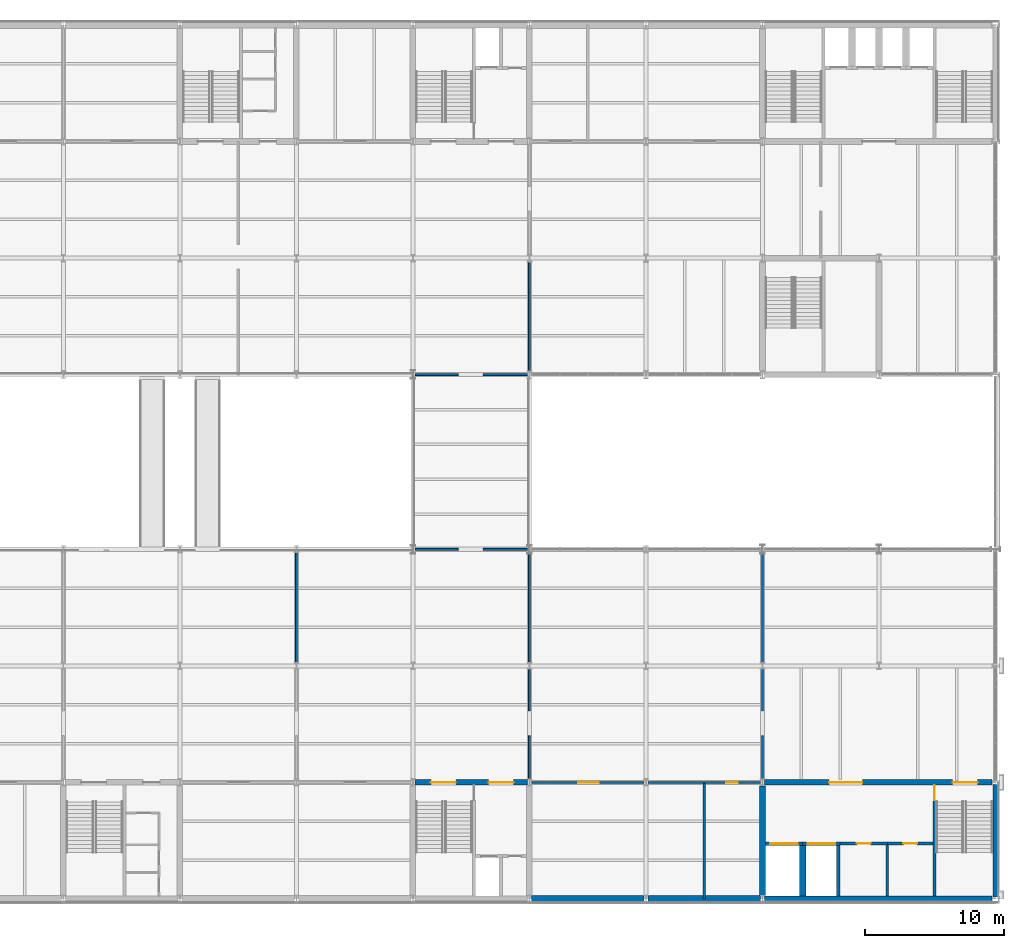
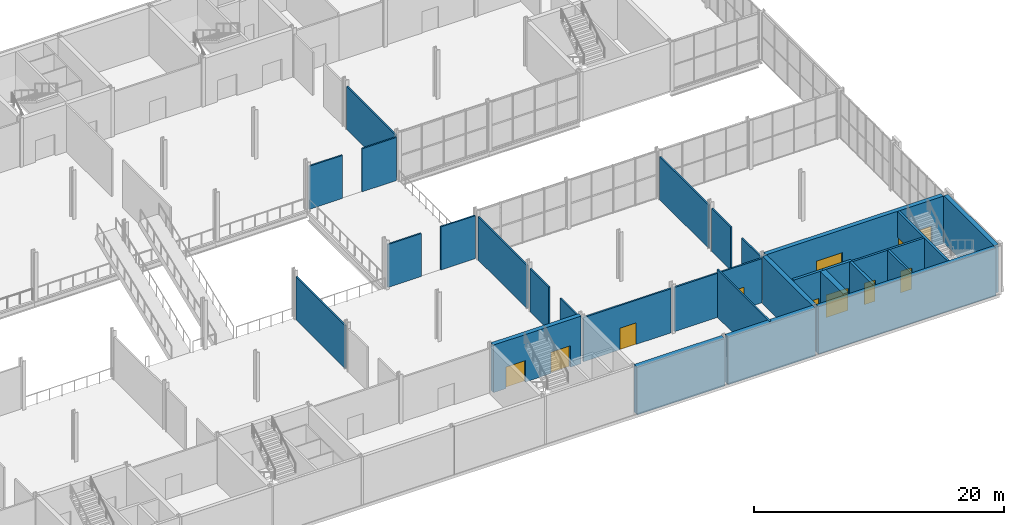
# One storey, part 39 of 61: 31 walls, 11 doors, 11 openings.
"""IFC4 building model written with IfcOpenShell, lengths in metres."""

from ifc_helpers import new_model, si_unit, direction, frame, frame_2d, origin, place, context, subcontext, project, spatial, rectangle, extrude, material, layer, layer_set, type_object, element, fill, save


model = new_model("IFC4")

# Units and contexts
model_context = context("Model", 3, precision=1e-05, world=origin(), true_north=direction((0.0, 1.0)))
body_context = subcontext(model_context, "Body", "Model", "MODEL_VIEW")
ifc_project = project(units=[si_unit("LENGTHUNIT", "METRE"), si_unit("AREAUNIT", "SQUARE_METRE"), si_unit("VOLUMEUNIT", "CUBIC_METRE"), si_unit("PLANEANGLEUNIT", "RADIAN"), si_unit("MASSUNIT", "GRAM", prefix="KILO")], contexts=[model_context])

# Site, building, storey
site_placement = place(None, origin())
site = spatial("IfcSite", under=ifc_project, at=site_placement, CompositionType="ELEMENT")
building_placement = place(site_placement, origin())
building = spatial("IfcBuilding", under=site, at=building_placement, Name="Galleria Vessillo Department Store", CompositionType="ELEMENT")
storey_placement = place(building_placement, frame((0.0, 0.0, 11.39990234375)))
storey = spatial("IfcBuildingStorey", under=building, at=storey_placement, Name="L02", CompositionType="ELEMENT", Elevation=11.39990234375)

# Wall
ifc_material_1 = material(Name="Solid clay block masonry", Category="masonry")
ifc_layer_1 = layer(ifc_material_1, 0.5)
ifc_layer_set_1 = layer_set([ifc_layer_1], Name="Solid clay block masonry")
wall_type_1 = type_object("IfcWallType", Name="Lift shaft partition wall 500 mm", PredefinedType="SOLIDWALL", material=ifc_layer_set_1)
wall_1_placement = place(storey_placement, frame((103.699951171875, 0.199951171875, 0.0), z_axis=(0.0, 0.0, 1.0), x_axis=(0.0, 1.0, 0.0)))
element("IfcWall", 1, at=wall_1_placement, inside=storey, type_object=wall_type_1, Name="Lift shaft partition wall GL1 L02", PredefinedType="SOLIDWALL", context=body_context, shape_type="SweptSolid", body=[
    extrude(rectangle(XDim=3.650146484375, YDim=0.5, at=frame_2d((1.8251953125, 0.0))), origin(), (0.0, 0.0, 1.0), 4.800048828125),
])

# Wall, opening, door
ifc_material_2 = material(Name="Solid clay block masonry", Category="masonry")
ifc_layer_2 = layer(ifc_material_2, 0.25)
ifc_layer_set_2 = layer_set([ifc_layer_2], Name="Solid clay block masonry")
wall_type_2 = type_object("IfcWallType", Name="Lift shaft wall 250 mm", PredefinedType="SOLIDWALL", material=ifc_layer_set_2)
wall_2_placement = place(storey_placement, frame((101.0, 3.97509765625, 0.0), z_axis=(0.0, 0.0, 1.0), x_axis=(1.0, 0.0, 0.0)))
wall_2 = element("IfcWall", 2, at=wall_2_placement, inside=storey, type_object=wall_type_2, Name="Lift shaft wall GL1 landing side L02", PredefinedType="SOLIDWALL", context=body_context, shape_type="SweptSolid", body=[
    extrude(rectangle(XDim=2.699951171875, YDim=0.25, at=frame_2d((1.35009765625, 0.0))), origin(), (0.0, 0.0, 1.0), 4.800048828125),
])
opening_1_placement = place(wall_2_placement, frame((0.35009765625, 0.0, 0.0)))
opening_1 = element("IfcOpeningElement", 3, at=opening_1_placement, cuts=wall_2, Name="Opening LD057", PredefinedType="OPENING", context=body_context, shape_type="SweptSolid", body=[
    extrude(rectangle(XDim=2.0, YDim=2.199951171875, at=frame_2d((1.0, 1.10009765625))), frame((0.0, 0.135009765625, 0.0), z_axis=(0.0, -1.0, 0.0), x_axis=(1.0, 0.0, 0.0)), (0.0, 0.0, 1.0), 0.27001953125),
])
ifc_material_3 = material(Name="Stainless steel lift door panel", Category="steel")
door_type_1 = type_object("IfcDoorType", Name="Lift landing door LD200 sliding 2000 x 2200", OperationType="DOUBLE_DOOR_SLIDING", PredefinedType="DOOR", material=ifc_material_3)
door_1_placement = place(opening_1_placement, origin())
door_1 = element("IfcDoor", 4, at=door_1_placement, inside=storey, type_object=door_type_1, Name="Lift landing door GL1 L02", OperationType="DOUBLE_DOOR_SLIDING", OverallHeight=2.199951171875, OverallWidth=2.0, PredefinedType="DOOR", context=body_context, shape_type="SweptSolid", body=[
    extrude(rectangle(XDim=2.0, YDim=2.199951171875, at=frame_2d((1.0, 1.10009765625))), frame((0.0, 0.02490234375, 0.0), z_axis=(0.0, -1.0, 0.0), x_axis=(1.0, 0.0, 0.0)), (0.0, 0.0, 1.0), 0.050048828125),
])
fill(opening_1, door_1)

wall_3_placement = place(storey_placement, frame((103.699951171875, 3.97509765625, 0.0), z_axis=(0.0, 0.0, 1.0), x_axis=(1.0, 0.0, 0.0)))
wall_3 = element("IfcWall", 5, at=wall_3_placement, inside=storey, type_object=wall_type_2, Name="Lift shaft wall GL2 landing side L02", PredefinedType="SOLIDWALL", context=body_context, shape_type="SweptSolid", body=[
    extrude(rectangle(XDim=2.699951171875, YDim=0.25, at=frame_2d((1.35009765625, 0.0))), origin(), (0.0, 0.0, 1.0), 4.800048828125),
])
opening_2_placement = place(wall_3_placement, frame((0.35009765625, 0.0, 0.0)))
opening_2 = element("IfcOpeningElement", 6, at=opening_2_placement, cuts=wall_3, Name="Opening LD058", PredefinedType="OPENING", context=body_context, shape_type="SweptSolid", body=[
    extrude(rectangle(XDim=2.0, YDim=2.199951171875, at=frame_2d((1.0, 1.10009765625))), frame((0.0, 0.135009765625, 0.0), z_axis=(0.0, -1.0, 0.0), x_axis=(1.0, 0.0, 0.0)), (0.0, 0.0, 1.0), 0.27001953125),
])
door_2_placement = place(opening_2_placement, origin())
door_2 = element("IfcDoor", 7, at=door_2_placement, inside=storey, type_object=door_type_1, Name="Lift landing door GL2 L02", OperationType="DOUBLE_DOOR_SLIDING", OverallHeight=2.199951171875, OverallWidth=2.0, PredefinedType="DOOR", context=body_context, shape_type="SweptSolid", body=[
    extrude(rectangle(XDim=2.0, YDim=2.199951171875, at=frame_2d((1.0, 1.10009765625))), frame((0.0, 0.02490234375, 0.0), z_axis=(0.0, -1.0, 0.0), x_axis=(1.0, 0.0, 0.0)), (0.0, 0.0, 1.0), 0.050048828125),
])
fill(opening_2, door_2)

# Wall
wall_4_placement = place(storey_placement, frame((106.27490234375, 0.199951171875, 0.0), z_axis=(0.0, 0.0, 1.0), x_axis=(0.0, 1.0, 0.0)))
element("IfcWall", 8, at=wall_4_placement, inside=storey, type_object=wall_type_2, Name="Lift shaft wall GL2 L02", PredefinedType="SOLIDWALL", context=body_context, shape_type="SweptSolid", body=[
    extrude(rectangle(XDim=3.650146484375, YDim=0.25, at=frame_2d((1.8251953125, 0.0))), origin(), (0.0, 0.0, 1.0), 4.800048828125),
])

# Wall, openings, doors
ifc_material_4 = material(Name="Concrete C32/40 reinforced", Category="concrete")
ifc_layer_3 = layer(ifc_material_4, 0.39990234375)
ifc_layer_set_3 = layer_set([ifc_layer_3], Name="Concrete C32/40 reinforced")
wall_type_3 = type_object("IfcWallType", Name="Reinforced concrete core wall 400 mm", PredefinedType="SHEAR", material=ifc_layer_set_3)
wall_5_placement = place(storey_placement, frame((75.75, 8.39990234375, 0.0), z_axis=(0.0, 0.0, 1.0), x_axis=(1.0, 0.0, 0.0)))
wall_5 = element("IfcWall", 9, at=wall_5_placement, inside=storey, type_object=wall_type_3, Name="S-CW-PC-SE-INTERIOR-L02", PredefinedType="SHEAR", context=body_context, shape_type="SweptSolid", body=[
    extrude(rectangle(XDim=8.10009765625, YDim=0.39990234375, at=frame_2d((4.050048828125, 0.0))), origin(), (0.0, 0.0, 1.0), 4.650146484375),
])
opening_3_placement = place(wall_5_placement, frame((1.14990234375, 0.0, 0.0)))
opening_3 = element("IfcOpeningElement", 10, at=opening_3_placement, cuts=wall_5, Name="Opening D5144", PredefinedType="OPENING", context=body_context, shape_type="SweptSolid", body=[
    extrude(rectangle(XDim=1.800048828125, YDim=2.10009765625, at=frame_2d((0.89990234375, 1.050048828125))), frame((0.0, 0.2099609375, 0.0), z_axis=(0.0, -1.0, 0.0), x_axis=(1.0, 0.0, 0.0)), (0.0, 0.0, 1.0), 0.419921875),
])
opening_4_placement = place(wall_5_placement, frame((5.2998046875, 0.0, 0.0)))
opening_4 = element("IfcOpeningElement", 11, at=opening_4_placement, cuts=wall_5, Name="Opening D5145", PredefinedType="OPENING", context=body_context, shape_type="SweptSolid", body=[
    extrude(rectangle(XDim=1.800048828125, YDim=2.10009765625, at=frame_2d((0.89990234375, 1.050048828125))), frame((0.0, 0.2099609375, 0.0), z_axis=(0.0, -1.0, 0.0), x_axis=(1.0, 0.0, 0.0)), (0.0, 0.0, 1.0), 0.419921875),
])
ifc_material_5 = material(Name="Fire-rated steel door leaf", Category="steel")
door_type_2 = type_object("IfcDoorType", Name="Door D180F double leaf 1800 x 2100", OperationType="DOUBLE_DOOR_SINGLE_SWING", PredefinedType="DOOR", material=ifc_material_5)
door_3_placement = place(opening_3_placement, frame((1.800048828125, 0.0, 0.0), z_axis=(0.0, 0.0, 1.0), x_axis=(-1.0, 0.0, 0.0)))
door_3 = element("IfcDoor", 12, at=door_3_placement, inside=storey, type_object=door_type_2, Name="Lobby door PC-SE-ST-FLOOR L02", OperationType="DOUBLE_DOOR_SINGLE_SWING", OverallHeight=2.10009765625, OverallWidth=1.800048828125, PredefinedType="DOOR", context=body_context, shape_type="SweptSolid", body=[
    extrude(rectangle(XDim=1.800048828125, YDim=2.10009765625, at=frame_2d((0.89990234375, 1.050048828125))), frame((0.0, 0.02490234375, 0.0), z_axis=(0.0, -1.0, 0.0), x_axis=(1.0, 0.0, 0.0)), (0.0, 0.0, 1.0), 0.050048828125),
])
fill(opening_3, door_3)
door_4_placement = place(opening_4_placement, frame((1.800048828125, 0.0, 0.0), z_axis=(0.0, 0.0, 1.0), x_axis=(-1.0, 0.0, 0.0)))
door_4 = element("IfcDoor", 13, at=door_4_placement, inside=storey, type_object=door_type_2, Name="Lobby door PC-SE-LOBBY-FLOOR L02", OperationType="DOUBLE_DOOR_SINGLE_SWING", OverallHeight=2.10009765625, OverallWidth=1.800048828125, PredefinedType="DOOR", context=body_context, shape_type="SweptSolid", body=[
    extrude(rectangle(XDim=1.800048828125, YDim=2.10009765625, at=frame_2d((0.89990234375, 1.050048828125))), frame((0.0, 0.02490234375, 0.0), z_axis=(0.0, -1.0, 0.0), x_axis=(1.0, 0.0, 0.0)), (0.0, 0.0, 1.0), 0.050048828125),
])
fill(opening_4, door_4)

wall_6_placement = place(storey_placement, frame((100.949951171875, 8.39990234375, 0.0), z_axis=(0.0, 0.0, 1.0), x_axis=(1.0, 0.0, 0.0)))
wall_6 = element("IfcWall", 14, at=wall_6_placement, inside=storey, type_object=wall_type_3, Name="S-CW-GC-INTERIOR-L02", PredefinedType="SHEAR", context=body_context, shape_type="SweptSolid", body=[
    extrude(rectangle(XDim=16.400146484375, YDim=0.39990234375, at=frame_2d((8.2001953125, 0.0))), origin(), (0.0, 0.0, 1.0), 4.650146484375),
])
opening_5_placement = place(wall_6_placement, frame((13.5498046875, 0.0, 0.0)))
opening_5 = element("IfcOpeningElement", 15, at=opening_5_placement, cuts=wall_6, Name="Opening D5242", PredefinedType="OPENING", context=body_context, shape_type="SweptSolid", body=[
    extrude(rectangle(XDim=1.800048828125, YDim=2.10009765625, at=frame_2d((0.89990234375, 1.050048828125))), frame((0.0, 0.2099609375, 0.0), z_axis=(0.0, -1.0, 0.0), x_axis=(1.0, 0.0, 0.0)), (0.0, 0.0, 1.0), 0.419921875),
])
opening_6_placement = place(wall_6_placement, frame((4.64990234375, 0.0, 0.0)))
opening_6 = element("IfcOpeningElement", 16, at=opening_6_placement, cuts=wall_6, Name="Opening D5243", PredefinedType="OPENING", context=body_context, shape_type="SweptSolid", body=[
    extrude(rectangle(XDim=2.39990234375, YDim=2.39990234375, at=frame_2d((1.199951171875, 1.199951171875))), frame((0.0, 0.2099609375, 0.0), z_axis=(0.0, -1.0, 0.0), x_axis=(1.0, 0.0, 0.0)), (0.0, 0.0, 1.0), 0.419921875),
])
door_5_placement = place(opening_5_placement, frame((1.800048828125, 0.0, 0.0), z_axis=(0.0, 0.0, 1.0), x_axis=(-1.0, 0.0, 0.0)))
door_5 = element("IfcDoor", 17, at=door_5_placement, inside=storey, type_object=door_type_2, Name="Lobby door GC-ST7-FLOOR L02", OperationType="DOUBLE_DOOR_SINGLE_SWING", OverallHeight=2.10009765625, OverallWidth=1.800048828125, PredefinedType="DOOR", context=body_context, shape_type="SweptSolid", body=[
    extrude(rectangle(XDim=1.800048828125, YDim=2.10009765625, at=frame_2d((0.89990234375, 1.050048828125))), frame((0.0, 0.02490234375, 0.0), z_axis=(0.0, -1.0, 0.0), x_axis=(1.0, 0.0, 0.0)), (0.0, 0.0, 1.0), 0.050048828125),
])
fill(opening_5, door_5)
ifc_material_6 = material(Name="Fire-rated steel door leaf", Category="steel")
door_type_3 = type_object("IfcDoorType", Name="Door D240F double leaf 2400 x 2400", OperationType="DOUBLE_DOOR_SINGLE_SWING", PredefinedType="DOOR", material=ifc_material_6)
door_6_placement = place(opening_6_placement, frame((2.39990234375, 0.0, 0.0), z_axis=(0.0, 0.0, 1.0), x_axis=(-1.0, 0.0, 0.0)))
door_6 = element("IfcDoor", 18, at=door_6_placement, inside=storey, type_object=door_type_3, Name="Lobby door GC-DOCK L02", OperationType="DOUBLE_DOOR_SINGLE_SWING", OverallHeight=2.39990234375, OverallWidth=2.39990234375, PredefinedType="DOOR", context=body_context, shape_type="SweptSolid", body=[
    extrude(rectangle(XDim=2.39990234375, YDim=2.39990234375, at=frame_2d((1.199951171875, 1.199951171875))), frame((0.0, 0.02490234375, 0.0), z_axis=(0.0, -1.0, 0.0), x_axis=(1.0, 0.0, 0.0)), (0.0, 0.0, 1.0), 0.050048828125),
])
fill(opening_6, door_6)

# Walls
wall_7_placement = place(storey_placement, frame((100.800048828125, 0.25, 0.0), z_axis=(0.0, 0.0, 1.0), x_axis=(0.0, 1.0, 0.0)))
element("IfcWall", 19, at=wall_7_placement, inside=storey, type_object=wall_type_3, Name="S-CW-GC-WEST-L02", PredefinedType="SHEAR", context=body_context, shape_type="SweptSolid", body=[
    extrude(rectangle(XDim=7.89990234375, YDim=0.39990234375, at=frame_2d((3.949951171875, 0.0))), origin(), (0.0, 0.0, 1.0), 4.650146484375),
])
ifc_material_7 = material(Name="Concrete C32/40 reinforced", Category="concrete")
ifc_layer_4 = layer(ifc_material_7, 0.39990234375)
ifc_layer_set_4 = layer_set([ifc_layer_4], Name="Concrete C32/40 reinforced")
wall_type_4 = type_object("IfcWallType", Name="Reinforced concrete core wall 400 mm, external", PredefinedType="SHEAR", material=ifc_layer_set_4)
wall_8_placement = place(storey_placement, frame((100.949951171875, 0.0, 0.0), z_axis=(0.0, 0.0, 1.0), x_axis=(1.0, 0.0, 0.0)))
element("IfcWall", 20, at=wall_8_placement, inside=storey, type_object=wall_type_4, Name="S-CW-GC-PARTY-L02", PredefinedType="SHEAR", context=body_context, shape_type="SweptSolid", body=[
    extrude(rectangle(XDim=16.400146484375, YDim=0.39990234375, at=frame_2d((8.2001953125, 0.0))), origin(), (0.0, 0.0, 1.0), 4.650146484375),
])
wall_9_placement = place(storey_placement, frame((117.60009765625, 0.14990234375, 0.0), z_axis=(0.0, 0.0, 1.0), x_axis=(0.0, 1.0, 0.0)))
element("IfcWall", 21, at=wall_9_placement, inside=storey, type_object=wall_type_4, Name="S-CW-GC-EAST-L02", PredefinedType="SHEAR", context=body_context, shape_type="SweptSolid", body=[
    extrude(rectangle(XDim=8.10009765625, YDim=0.39990234375, at=frame_2d((4.050048828125, 0.0))), origin(), (0.0, 0.0, 1.0), 4.650146484375),
])
ifc_material_8 = material(Name="Concrete C32/40 reinforced", Category="concrete")
ifc_layer_5 = layer(ifc_material_8, 0.5)
ifc_layer_set_5 = layer_set([ifc_layer_5], Name="Concrete C32/40 reinforced")
wall_type_5 = type_object("IfcWallType", Name="Reinforced concrete party wall 500 mm", PredefinedType="SHEAR", material=ifc_layer_set_5)
wall_10_placement = place(storey_placement, frame((84.14990234375, 0.0, 0.0), z_axis=(0.0, 0.0, 1.0), x_axis=(1.0, 0.0, 0.0)))
element("IfcWall", 22, at=wall_10_placement, inside=storey, type_object=wall_type_5, Name="S-PS-L02-07", PredefinedType="SHEAR", context=body_context, shape_type="SweptSolid", body=[
    extrude(rectangle(XDim=8.10009765625, YDim=0.5, at=frame_2d((4.050048828125, 0.0))), origin(), (0.0, 0.0, 1.0), 4.650146484375),
])
wall_11_placement = place(storey_placement, frame((92.5498046875, 0.0, 0.0), z_axis=(0.0, 0.0, 1.0), x_axis=(1.0, 0.0, 0.0)))
element("IfcWall", 23, at=wall_11_placement, inside=storey, type_object=wall_type_5, Name="S-PS-L02-08", PredefinedType="SHEAR", context=body_context, shape_type="SweptSolid", body=[
    extrude(rectangle(XDim=8.100341796875, YDim=0.5, at=frame_2d((4.05029296875, 0.0))), origin(), (0.0, 0.0, 1.0), 4.650146484375),
])

# Wall, opening, door
ifc_material_9 = material(Name="Concrete C32/40 reinforced", Category="concrete")
ifc_layer_6 = layer(ifc_material_9, 0.199951171875)
ifc_layer_set_6 = layer_set([ifc_layer_6], Name="Concrete C32/40 reinforced")
wall_type_6 = type_object("IfcWallType", Name="Reinforced concrete stair enclosure wall 200 mm", PredefinedType="SHEAR", material=ifc_layer_set_6)
wall_12_placement = place(storey_placement, frame((113.199951171875, 0.199951171875, 0.0), z_axis=(0.0, 0.0, 1.0), x_axis=(0.0, 1.0, 0.0)))
wall_12 = element("IfcWall", 24, at=wall_12_placement, inside=storey, type_object=wall_type_6, Name="Stair enclosure wall GC L02", PredefinedType="SHEAR", context=body_context, shape_type="SweptSolid", body=[
    extrude(rectangle(XDim=8.0, YDim=0.199951171875, at=frame_2d((4.0, 0.0))), origin(), (0.0, 0.0, 1.0), 4.650146484375),
])
opening_7_placement = place(wall_12_placement, frame((6.89990234375, 0.0, 0.0)))
opening_7 = element("IfcOpeningElement", 25, at=opening_7_placement, cuts=wall_12, Name="Opening D5239", PredefinedType="OPENING", context=body_context, shape_type="SweptSolid", body=[
    extrude(rectangle(XDim=1.11009765625, YDim=2.10009765625, at=frame_2d((0.554931640625, 1.050048828125))), frame((0.0, 0.10986328125, 0.0), z_axis=(0.0, -1.0, 0.0), x_axis=(1.0, 0.0, 0.0)), (0.0, 0.0, 1.0), 0.219970703125),
])
ifc_material_10 = material(Name="Fire-rated steel door leaf", Category="steel")
door_type_4 = type_object("IfcDoorType", Name="Door D110F stair door 1100 x 2100", OperationType="SINGLE_SWING_LEFT", PredefinedType="DOOR", material=ifc_material_10)
door_7_placement = place(opening_7_placement, frame((1.10009765625, 0.0, 0.0), z_axis=(0.0, 0.0, 1.0), x_axis=(-1.0, 0.0, 0.0)))
door_7 = element("IfcDoor", 26, at=door_7_placement, inside=storey, type_object=door_type_4, Name="Stair door GC-ST7-LOBBY L02", OperationType="SINGLE_SWING_LEFT", OverallHeight=2.10009765625, OverallWidth=1.10009765625, PredefinedType="DOOR", context=body_context, shape_type="SweptSolid", body=[
    extrude(rectangle(XDim=1.10009765625, YDim=2.10009765625, at=frame_2d((0.550048828125, 1.050048828125))), frame((0.0, 0.02490234375, 0.0), z_axis=(0.0, -1.0, 0.0), x_axis=(1.0, 0.0, 0.0)), (0.0, 0.0, 1.0), 0.050048828125),
])
fill(opening_7, door_7)

ifc_material_11 = material(Name="Hollow clay block masonry", Category="masonry")
ifc_layer_7 = layer(ifc_material_11, 0.199951171875)
ifc_layer_set_7 = layer_set([ifc_layer_7], Name="Hollow clay block masonry")
wall_type_7 = type_object("IfcWallType", Name="Riser and service room wall 200 mm", PredefinedType="PARTITIONING", material=ifc_layer_set_7)
wall_13_placement = place(storey_placement, frame((106.39990234375, 4.0, 0.0), z_axis=(0.0, 0.0, 1.0), x_axis=(1.0, 0.0, 0.0)))
wall_13 = element("IfcWall", 27, at=wall_13_placement, inside=storey, type_object=wall_type_7, Name="Service room wall GC-SERVICE-1 L02", PredefinedType="PARTITIONING", context=body_context, shape_type="SweptSolid", body=[
    extrude(rectangle(XDim=3.400146484375, YDim=0.199951171875, at=frame_2d((1.7001953125, 0.0))), origin(), (0.0, 0.0, 1.0), 4.650146484375),
])
opening_8_placement = place(wall_13_placement, frame((1.2001953125, 0.0, 0.0)))
opening_8 = element("IfcOpeningElement", 28, at=opening_8_placement, cuts=wall_13, Name="Opening D5240", PredefinedType="OPENING", context=body_context, shape_type="SweptSolid", body=[
    extrude(rectangle(XDim=1.0, YDim=2.10009765625, at=frame_2d((0.5, 1.050048828125))), frame((0.0, 0.10986328125, 0.0), z_axis=(0.0, -1.0, 0.0), x_axis=(1.0, 0.0, 0.0)), (0.0, 0.0, 1.0), 0.219970703125),
])
ifc_material_12 = material(Name="Fire-rated steel door leaf", Category="steel")
door_type_5 = type_object("IfcDoorType", Name="Door D100 service room 1000 x 2100", OperationType="SINGLE_SWING_LEFT", PredefinedType="DOOR", material=ifc_material_12)
door_8_placement = place(opening_8_placement, frame((1.0, 0.0, 0.0), z_axis=(0.0, 0.0, 1.0), x_axis=(-1.0, 0.0, 0.0)))
door_8 = element("IfcDoor", 29, at=door_8_placement, inside=storey, type_object=door_type_5, Name="Service room door GC-SERVICE-1 L02", OperationType="SINGLE_SWING_LEFT", OverallHeight=2.10009765625, OverallWidth=1.0, PredefinedType="DOOR", context=body_context, shape_type="SweptSolid", body=[
    extrude(rectangle(XDim=1.0, YDim=2.10009765625, at=frame_2d((0.5, 1.050048828125))), frame((0.0, 0.02490234375, 0.0), z_axis=(0.0, -1.0, 0.0), x_axis=(1.0, 0.0, 0.0)), (0.0, 0.0, 1.0), 0.050048828125),
])
fill(opening_8, door_8)

# Wall
wall_14_placement = place(storey_placement, frame((109.800048828125, 0.199951171875, 0.0), z_axis=(0.0, 0.0, 1.0), x_axis=(0.0, 1.0, 0.0)))
element("IfcWall", 30, at=wall_14_placement, inside=storey, type_object=wall_type_7, Name="Service room partition GC L02", PredefinedType="PARTITIONING", context=body_context, shape_type="SweptSolid", body=[
    extrude(rectangle(XDim=3.7001953125, YDim=0.199951171875, at=frame_2d((1.85009765625, 0.0))), origin(), (0.0, 0.0, 1.0), 4.650146484375),
])

# Wall, opening, door
wall_15_placement = place(storey_placement, frame((109.800048828125, 4.0, 0.0), z_axis=(0.0, 0.0, 1.0), x_axis=(1.0, 0.0, 0.0)))
wall_15 = element("IfcWall", 31, at=wall_15_placement, inside=storey, type_object=wall_type_7, Name="Service room wall GC-SERVICE-2 L02", PredefinedType="PARTITIONING", context=body_context, shape_type="SweptSolid", body=[
    extrude(rectangle(XDim=3.300048828125, YDim=0.199951171875, at=frame_2d((1.64990234375, 0.0))), origin(), (0.0, 0.0, 1.0), 4.650146484375),
])
opening_9_placement = place(wall_15_placement, frame((1.14990234375, 0.0, 0.0)))
opening_9 = element("IfcOpeningElement", 32, at=opening_9_placement, cuts=wall_15, Name="Opening D5241", PredefinedType="OPENING", context=body_context, shape_type="SweptSolid", body=[
    extrude(rectangle(XDim=1.0, YDim=2.10009765625, at=frame_2d((0.5, 1.050048828125))), frame((0.0, 0.10986328125, 0.0), z_axis=(0.0, -1.0, 0.0), x_axis=(1.0, 0.0, 0.0)), (0.0, 0.0, 1.0), 0.219970703125),
])
door_9_placement = place(opening_9_placement, frame((1.0, 0.0, 0.0), z_axis=(0.0, 0.0, 1.0), x_axis=(-1.0, 0.0, 0.0)))
door_9 = element("IfcDoor", 33, at=door_9_placement, inside=storey, type_object=door_type_5, Name="Service room door GC-SERVICE-2 L02", OperationType="SINGLE_SWING_RIGHT", OverallHeight=2.10009765625, OverallWidth=1.0, PredefinedType="DOOR", context=body_context, shape_type="SweptSolid", body=[
    extrude(rectangle(XDim=1.0, YDim=2.10009765625, at=frame_2d((0.5, 1.050048828125))), frame((0.0, 0.02490234375, 0.0), z_axis=(0.0, -1.0, 0.0), x_axis=(1.0, 0.0, 0.0)), (0.0, 0.0, 1.0), 0.050048828125),
])
fill(opening_9, door_9)

# Walls
ifc_material_13 = material(Name="Gypsum board partition")
ifc_layer_8 = layer(ifc_material_13, 0.139892578125)
ifc_layer_set_8 = layer_set([ifc_layer_8], Name="Gypsum board partition")
wall_type_8 = type_object("IfcWallType", Name="Sales dividing wall 140 mm", PredefinedType="PARTITIONING", material=ifc_layer_set_8)
wall_16_placement = place(storey_placement, frame((67.199951171875, 17.050048828125, 0.0), z_axis=(0.0, 0.0, 1.0), x_axis=(0.0, 1.0, 0.0)))
element("IfcWall", 34, at=wall_16_placement, inside=storey, type_object=wall_type_8, Name="Partition wall PT3 on L02 no. 050", PredefinedType="PARTITIONING", context=body_context, shape_type="SweptSolid", body=[
    extrude(rectangle(XDim=7.887939453125, YDim=0.139892578125, at=frame_2d((3.94384765625, 0.0))), origin(), (0.0, 0.0, 1.0), 4.210205078125),
])
wall_17_placement = place(storey_placement, frame((84.0, 8.64990234375, 0.0), z_axis=(0.0, 0.0, 1.0), x_axis=(0.0, 1.0, 0.0)))
element("IfcWall", 35, at=wall_17_placement, inside=storey, type_object=wall_type_8, Name="Partition wall PT3 on L02 no. 051", PredefinedType="PARTITIONING", context=body_context, shape_type="SweptSolid", body=[
    extrude(rectangle(XDim=3.10009765625, YDim=0.139892578125, at=frame_2d((1.550048828125, 0.0))), origin(), (0.0, 0.0, 1.0), 4.210205078125),
])
wall_18_placement = place(storey_placement, frame((84.0, 13.5498046875, 0.0), z_axis=(0.0, 0.0, 1.0), x_axis=(0.0, 1.0, 0.0)))
element("IfcWall", 36, at=wall_18_placement, inside=storey, type_object=wall_type_8, Name="Partition wall PT3 on L02 no. 052", PredefinedType="PARTITIONING", context=body_context, shape_type="SweptSolid", body=[
    extrude(rectangle(XDim=3.000244140625, YDim=0.139892578125, at=frame_2d((1.5, 0.0))), origin(), (0.0, 0.0, 1.0), 4.210205078125),
])
wall_19_placement = place(storey_placement, frame((84.0, 17.050048828125, 0.0), z_axis=(0.0, 0.0, 1.0), x_axis=(0.0, 1.0, 0.0)))
element("IfcWall", 37, at=wall_19_placement, inside=storey, type_object=wall_type_8, Name="Partition wall PT3 on L02 no. 053", PredefinedType="PARTITIONING", context=body_context, shape_type="SweptSolid", body=[
    extrude(rectangle(XDim=7.83984375, YDim=0.139892578125, at=frame_2d((3.919921875, 0.0))), origin(), (0.0, 0.0, 1.0), 4.210205078125),
])
wall_20_placement = place(storey_placement, frame((75.752685546875, 25.199951171875, 0.0), z_axis=(0.0, 0.0, 1.0), x_axis=(1.0, 0.0, 0.0)))
element("IfcWall", 38, at=wall_20_placement, inside=storey, type_object=wall_type_8, Name="Partition wall PT3 on L02 no. 054", PredefinedType="PARTITIONING", context=body_context, shape_type="SweptSolid", body=[
    extrude(rectangle(XDim=3.099853515625, YDim=0.139892578125, at=frame_2d((1.5498046875, 0.0))), origin(), (0.0, 0.0, 1.0), 4.210205078125),
])
wall_21_placement = place(storey_placement, frame((80.652587890625, 25.199951171875, 0.0), z_axis=(0.0, 0.0, 1.0), x_axis=(1.0, 0.0, 0.0)))
element("IfcWall", 39, at=wall_21_placement, inside=storey, type_object=wall_type_8, Name="Partition wall PT3 on L02 no. 055", PredefinedType="PARTITIONING", context=body_context, shape_type="SweptSolid", body=[
    extrude(rectangle(XDim=3.19482421875, YDim=0.139892578125, at=frame_2d((1.597412109375, 0.0))), origin(), (0.0, 0.0, 1.0), 4.210205078125),
])
wall_22_placement = place(storey_placement, frame((100.800048828125, 8.64990234375, 0.0), z_axis=(0.0, 0.0, 1.0), x_axis=(0.0, 1.0, 0.0)))
element("IfcWall", 40, at=wall_22_placement, inside=storey, type_object=wall_type_8, Name="Partition wall PT3 on L02 no. 056", PredefinedType="PARTITIONING", context=body_context, shape_type="SweptSolid", body=[
    extrude(rectangle(XDim=3.10009765625, YDim=0.139892578125, at=frame_2d((1.550048828125, 0.0))), origin(), (0.0, 0.0, 1.0), 4.210205078125),
])
wall_23_placement = place(storey_placement, frame((100.800048828125, 13.5498046875, 0.0), z_axis=(0.0, 0.0, 1.0), x_axis=(0.0, 1.0, 0.0)))
element("IfcWall", 41, at=wall_23_placement, inside=storey, type_object=wall_type_8, Name="Partition wall PT3 on L02 no. 057", PredefinedType="PARTITIONING", context=body_context, shape_type="SweptSolid", body=[
    extrude(rectangle(XDim=3.000244140625, YDim=0.139892578125, at=frame_2d((1.5, 0.0))), origin(), (0.0, 0.0, 1.0), 4.210205078125),
])
wall_24_placement = place(storey_placement, frame((100.800048828125, 17.050048828125, 0.0), z_axis=(0.0, 0.0, 1.0), x_axis=(0.0, 1.0, 0.0)))
element("IfcWall", 42, at=wall_24_placement, inside=storey, type_object=wall_type_8, Name="Partition wall PT3 on L02 no. 058", PredefinedType="PARTITIONING", context=body_context, shape_type="SweptSolid", body=[
    extrude(rectangle(XDim=7.81591796875, YDim=0.139892578125, at=frame_2d((3.907958984375, 0.0))), origin(), (0.0, 0.0, 1.0), 4.210205078125),
])
wall_25_placement = place(storey_placement, frame((84.0, 38.0859375, 0.0), z_axis=(0.0, 0.0, 1.0), x_axis=(0.0, 1.0, 0.0)))
element("IfcWall", 43, at=wall_25_placement, inside=storey, type_object=wall_type_8, Name="Partition wall PT3 on L02 no. 068", PredefinedType="PARTITIONING", context=body_context, shape_type="SweptSolid", body=[
    extrude(rectangle(XDim=7.828125, YDim=0.139892578125, at=frame_2d((3.9140625, 0.0))), origin(), (0.0, 0.0, 1.0), 4.210205078125),
])
wall_26_placement = place(storey_placement, frame((75.752685546875, 37.800048828125, 0.0), z_axis=(0.0, 0.0, 1.0), x_axis=(1.0, 0.0, 0.0)))
element("IfcWall", 44, at=wall_26_placement, inside=storey, type_object=wall_type_8, Name="Partition wall PT3 on L02 no. 071", PredefinedType="PARTITIONING", context=body_context, shape_type="SweptSolid", body=[
    extrude(rectangle(XDim=3.099853515625, YDim=0.139892578125, at=frame_2d((1.5498046875, 0.0))), origin(), (0.0, 0.0, 1.0), 4.210205078125),
])
wall_27_placement = place(storey_placement, frame((80.652587890625, 37.800048828125, 0.0), z_axis=(0.0, 0.0, 1.0), x_axis=(1.0, 0.0, 0.0)))
element("IfcWall", 45, at=wall_27_placement, inside=storey, type_object=wall_type_8, Name="Partition wall PT3 on L02 no. 072", PredefinedType="PARTITIONING", context=body_context, shape_type="SweptSolid", body=[
    extrude(rectangle(XDim=3.1943359375, YDim=0.139892578125, at=frame_2d((1.59716796875, 0.0))), origin(), (0.0, 0.0, 1.0), 4.210205078125),
])
ifc_material_14 = material(Name="Concrete blockwork", Category="masonry")
ifc_layer_9 = layer(ifc_material_14, 0.14990234375)
ifc_layer_set_9 = layer_set([ifc_layer_9], Name="Concrete blockwork")
wall_type_9 = type_object("IfcWallType", Name="Stockroom blockwork wall 150 mm", PredefinedType="SOLIDWALL", material=ifc_layer_set_9)
wall_28_placement = place(storey_placement, frame((96.60009765625, 0.0, 0.0), z_axis=(0.0, 0.0, 1.0), x_axis=(0.0, 1.0, 0.0)))
element("IfcWall", 46, at=wall_28_placement, inside=storey, type_object=wall_type_9, Name="Partition wall PT4 on L02 no. 020", PredefinedType="SOLIDWALL", context=body_context, shape_type="SweptSolid", body=[
    extrude(rectangle(XDim=8.39990234375, YDim=0.14990234375, at=frame_2d((4.199951171875, 0.0))), origin(), (0.0, 0.0, 1.0), 4.650146484375),
])

# Wall, opening, door
wall_29_placement = place(storey_placement, frame((84.14990234375, 8.39990234375, 0.0), z_axis=(0.0, 0.0, 1.0), x_axis=(1.0, 0.0, 0.0)))
wall_29 = element("IfcWall", 47, at=wall_29_placement, inside=storey, type_object=wall_type_9, Name="Partition wall PT4 on L02 no. 021", PredefinedType="SOLIDWALL", context=body_context, shape_type="SweptSolid", body=[
    extrude(rectangle(XDim=8.10009765625, YDim=0.14990234375, at=frame_2d((4.050048828125, 0.0))), origin(), (0.0, 0.0, 1.0), 4.320068359375),
])
opening_10_placement = place(wall_29_placement, frame((3.35009765625, 0.0, 0.0)))
opening_10 = element("IfcOpeningElement", 48, at=opening_10_placement, cuts=wall_29, Name="Opening D2412", PredefinedType="OPENING", context=body_context, shape_type="SweptSolid", body=[
    extrude(rectangle(XDim=1.5, YDim=2.10009765625, at=frame_2d((0.75, 1.050048828125))), frame((0.0, 0.0849609375, 0.0), z_axis=(0.0, -1.0, 0.0), x_axis=(1.0, 0.0, 0.0)), (0.0, 0.0, 1.0), 0.169921875),
])
ifc_material_15 = material(Name="Steel fire door leaf", Category="steel")
door_type_6 = type_object("IfcDoorType", Name="Stockroom fire door 1500 double leaf", OperationType="DOUBLE_DOOR_SINGLE_SWING", PredefinedType="DOOR", material=ifc_material_15)
door_10_placement = place(opening_10_placement, frame((1.5, 0.0, 0.0), z_axis=(0.0, 0.0, 1.0), x_axis=(-1.0, 0.0, 0.0)))
door_10 = element("IfcDoor", 49, at=door_10_placement, inside=storey, type_object=door_type_6, Name="Door D2412", OperationType="DOUBLE_DOOR_SINGLE_SWING", OverallHeight=2.10009765625, OverallWidth=1.5, PredefinedType="DOOR", context=body_context, shape_type="SweptSolid", body=[
    extrude(rectangle(XDim=1.5, YDim=2.10009765625, at=frame_2d((0.75, 1.050048828125))), frame((0.0, 0.02490234375, 0.0), z_axis=(0.0, -1.0, 0.0), x_axis=(1.0, 0.0, 0.0)), (0.0, 0.0, 1.0), 0.050048828125),
])
fill(opening_10, door_10)

# Wall
wall_30_placement = place(storey_placement, frame((92.5498046875, 8.39990234375, 0.0), z_axis=(0.0, 0.0, 1.0), x_axis=(1.0, 0.0, 0.0)))
element("IfcWall", 50, at=wall_30_placement, inside=storey, type_object=wall_type_9, Name="Partition wall PT4 on L02 no. 022", PredefinedType="SOLIDWALL", context=body_context, shape_type="SweptSolid", body=[
    extrude(rectangle(XDim=4.05029296875, YDim=0.14990234375, at=frame_2d((2.025146484375, 0.0))), origin(), (0.0, 0.0, 1.0), 4.320068359375),
])

# Wall, opening, door
wall_31_placement = place(storey_placement, frame((96.60009765625, 8.39990234375, 0.0), z_axis=(0.0, 0.0, 1.0), x_axis=(1.0, 0.0, 0.0)))
wall_31 = element("IfcWall", 51, at=wall_31_placement, inside=storey, type_object=wall_type_9, Name="Partition wall PT4 on L02 no. 023", PredefinedType="SOLIDWALL", context=body_context, shape_type="SweptSolid", body=[
    extrude(rectangle(XDim=4.050048828125, YDim=0.14990234375, at=frame_2d((2.02490234375, 0.0))), origin(), (0.0, 0.0, 1.0), 4.320068359375),
])
opening_11_placement = place(wall_31_placement, frame((1.60009765625, 0.0, 0.0)))
opening_11 = element("IfcOpeningElement", 52, at=opening_11_placement, cuts=wall_31, Name="Opening D2413", PredefinedType="OPENING", context=body_context, shape_type="SweptSolid", body=[
    extrude(rectangle(XDim=0.800048828125, YDim=2.10009765625, at=frame_2d((0.39990234375, 1.050048828125))), frame((0.0, 0.0849609375, 0.0), z_axis=(0.0, -1.0, 0.0), x_axis=(1.0, 0.0, 0.0)), (0.0, 0.0, 1.0), 0.169921875),
])
ifc_material_16 = material(Name="Steel fire door leaf", Category="steel")
door_type_7 = type_object("IfcDoorType", Name="Fire door 800 staff door", OperationType="SINGLE_SWING_LEFT", PredefinedType="DOOR", material=ifc_material_16)
door_11_placement = place(opening_11_placement, frame((0.800048828125, 0.0, 0.0), z_axis=(0.0, 0.0, 1.0), x_axis=(-1.0, 0.0, 0.0)))
door_11 = element("IfcDoor", 53, at=door_11_placement, inside=storey, type_object=door_type_7, Name="Door D2413", OperationType="SINGLE_SWING_LEFT", OverallHeight=2.10009765625, OverallWidth=0.800048828125, PredefinedType="DOOR", context=body_context, shape_type="SweptSolid", body=[
    extrude(rectangle(XDim=0.800048828125, YDim=2.10009765625, at=frame_2d((0.39990234375, 1.050048828125))), frame((0.0, 0.02490234375, 0.0), z_axis=(0.0, -1.0, 0.0), x_axis=(1.0, 0.0, 0.0)), (0.0, 0.0, 1.0), 0.050048828125),
])
fill(opening_11, door_11)

save(model, "model.ifc")
